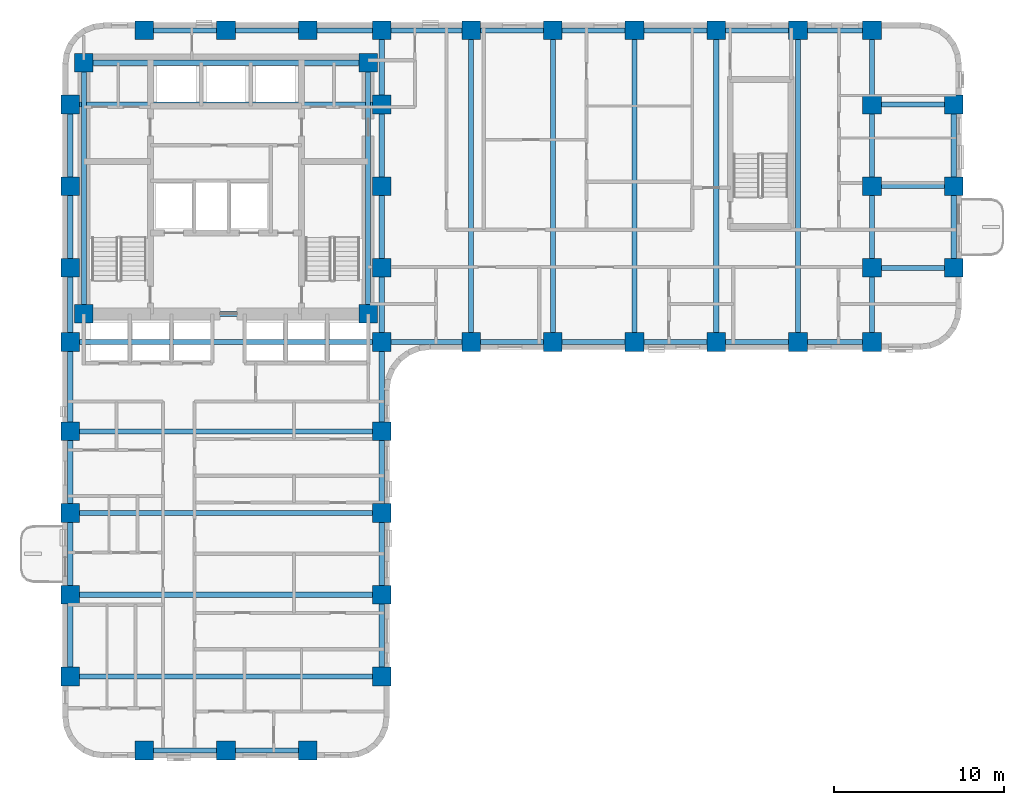
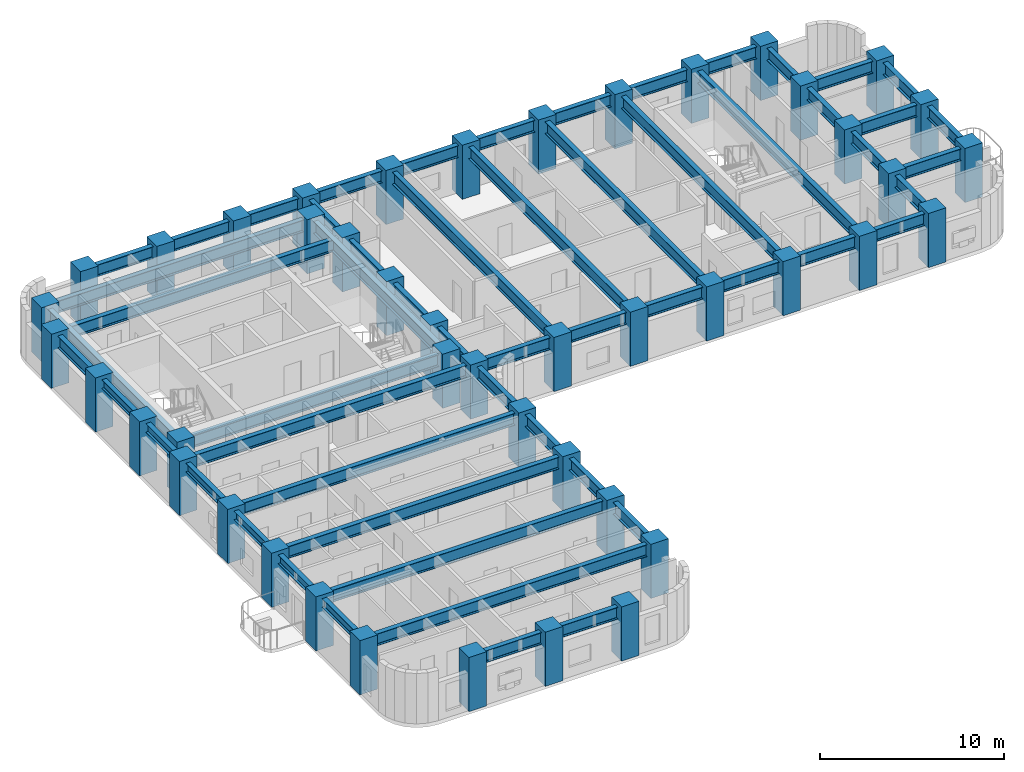
# One storey, part 1 of 12: 56 beams, 45 columns.
"""IFC4 building model written with IfcOpenShell, lengths in metres."""

from ifc_helpers import new_model, si_unit, direction, frame, origin, origin_2d, place, context, subcontext, project, spatial, rectangle, i_section, extrude, material, material_profile, profile_set, type_object, element, save


model = new_model("IFC4")

# Units and contexts
model_context = context("Model", 3, precision=1e-05, world=origin(), true_north=direction((0.0, 1.0)))
body_context = subcontext(model_context, "Body", "Model", "MODEL_VIEW")
ifc_project = project(units=[si_unit("LENGTHUNIT", "METRE"), si_unit("AREAUNIT", "SQUARE_METRE"), si_unit("VOLUMEUNIT", "CUBIC_METRE"), si_unit("PLANEANGLEUNIT", "RADIAN"), si_unit("MASSUNIT", "GRAM", prefix="KILO")], contexts=[model_context])

# Site, building, storey
site_placement = place(None, origin())
site = spatial("IfcSite", under=ifc_project, at=site_placement, CompositionType="ELEMENT")
building_placement = place(site_placement, origin())
building = spatial("IfcBuilding", under=site, at=building_placement, Name="Orvandelia Arch Residences", CompositionType="ELEMENT")
storey_placement = place(building_placement, frame((0.0, 0.0, 43.0)))
storey = spatial("IfcBuildingStorey", under=building, at=storey_placement, Name="L10", CompositionType="ELEMENT", Elevation=43.0)

# Columns
ifc_material_1 = material(Name="Concrete C80/95", Category="concrete")
ifc_material_profile_1 = material_profile(ifc_material_1, rectangle(XDim=1.10009765625, YDim=1.10009765625, at=origin_2d()), Name="Concrete C80/95", Category="concrete")
ifc_profile_set_1 = profile_set([ifc_material_profile_1], Name="Concrete C80/95")
column_type = type_object("IfcColumnType", Name="COL-TWR-1100", PredefinedType="COLUMN", material=ifc_profile_set_1)
for number, where, z_axis, x_axis, name in (
    (1, (5.25, 9.60009765625, 0.0), (0.0, 0.0, 1.0), (1.0, 0.0, 0.0), "Structural Column L10-W-W-96"),
    (2, (5.25, 14.39990234375, 0.0), (0.0, 0.0, 1.0), (1.0, 0.0, 0.0), "Structural Column L10-W-W-144"),
    (3, (5.25, 19.199951171875, 0.0), (0.0, 0.0, 1.0), (1.0, 0.0, 0.0), "Structural Column L10-W-W-192"),
    (4, (5.25, 24.0, 0.0), (0.0, 0.0, 1.0), (1.0, 0.0, 0.0), "Structural Column L10-W-W-240"),
    (5, (5.25, 29.25, 0.0), (0.0, 0.0, 1.0), (1.0, 0.0, 0.0), "Structural Column L10-W-W-292"),
    (6, (5.25, 33.60009765625, 0.0), (0.0, 0.0, 1.0), (1.0, 0.0, 0.0), "Structural Column L10-W-W-336"),
    (7, (5.25, 38.39990234375, 0.0), (0.0, 0.0, 1.0), (1.0, 0.0, 0.0), "Structural Column L10-W-W-384"),
    (8, (5.25, 43.199951171875, 0.0), (0.0, 0.0, 1.0), (1.0, 0.0, 0.0), "Structural Column L10-W-W-432"),
    (9, (6.050048828125, 30.89990234375, 0.0), (0.0, 0.0, 1.0), (1.0, 0.0, 0.0), "Structural Column L10-CR-SW"),
    (10, (6.050048828125, 45.64990234375, 0.0), (0.0, 0.0, 1.0), (1.0, 0.0, 0.0), "Structural Column L10-CR-NW"),
    (11, (9.60009765625, 5.25, 0.0), (0.0, 0.0, 1.0), (1.0, 0.0, 0.0), "Structural Column L10-W-S-96"),
    (12, (9.60009765625, 47.550048828125, 0.0), (0.0, 0.0, 1.0), (1.0, 0.0, 0.0), "Structural Column L10-W-N-96"),
    (13, (14.39990234375, 5.25, 0.0), (0.0, 0.0, 1.0), (1.0, 0.0, 0.0), "Structural Column L10-W-S-144"),
    (14, (14.39990234375, 47.550048828125, 0.0), (0.0, 0.0, 1.0), (1.0, 0.0, 0.0), "Structural Column L10-W-N-144"),
    (15, (19.199951171875, 5.25, 0.0), (0.0, 0.0, 1.0), (1.0, 0.0, 0.0), "Structural Column L10-W-S-192"),
    (16, (19.199951171875, 47.550048828125, 0.0), (0.0, 0.0, 1.0), (1.0, 0.0, 0.0), "Structural Column L10-W-N-192"),
    (17, (22.75, 30.89990234375, 0.0), (0.0, 0.0, 1.0), (1.0, 0.0, 0.0), "Structural Column L10-CR-SE"),
    (18, (22.75, 45.64990234375, 0.0), (0.0, 0.0, 1.0), (1.0, 0.0, 0.0), "Structural Column L10-CR-NE"),
    (19, (23.550048828125, 9.60009765625, 0.0), (0.0, 0.0, 1.0), (1.0, 0.0, 0.0), "Structural Column L10-W-E-96"),
    (20, (23.550048828125, 14.39990234375, 0.0), (0.0, 0.0, 1.0), (1.0, 0.0, 0.0), "Structural Column L10-W-E-144"),
    (21, (23.550048828125, 19.199951171875, 0.0), (0.0, 0.0, 1.0), (1.0, 0.0, 0.0), "Structural Column L10-W-E-192"),
    (22, (23.550048828125, 24.0, 0.0), (0.0, 0.0, 1.0), (1.0, 0.0, 0.0), "Structural Column L10-W-E-240"),
    (23, (23.550048828125, 29.25, 0.0), (0.0, 0.0, 1.0), (1.0, 0.0, 0.0), "Structural Column L10-W-E-292"),
    (24, (23.550048828125, 33.60009765625, 0.0), (0.0, 0.0, 1.0), (1.0, 0.0, 0.0), "Structural Column L10-W-E-336"),
    (25, (23.550048828125, 38.39990234375, 0.0), (0.0, 0.0, 1.0), (1.0, 0.0, 0.0), "Structural Column L10-W-E-384"),
    (26, (23.550048828125, 43.199951171875, 0.0), (0.0, 0.0, 1.0), (1.0, 0.0, 0.0), "Structural Column L10-W-E-432"),
    (27, (23.550048828125, 47.550048828125, 0.0), (0.0, 0.0, 1.0), (1.0, 0.0, 0.0), "Structural Column L10-W-N-235"),
    (28, (28.800048828125, 29.25, 0.0), (0.0, 0.0, 1.0), (1.0, 0.0, 0.0), "Structural Column L10-E-S-288"),
    (29, (28.800048828125, 47.550048828125, 0.0), (0.0, 0.0, 1.0), (1.0, 0.0, 0.0), "Structural Column L10-E-N-288"),
    (30, (33.60009765625, 29.25, 0.0), (0.0, 0.0, 1.0), (1.0, 0.0, 0.0), "Structural Column L10-E-S-336"),
    (31, (33.60009765625, 47.550048828125, 0.0), (0.0, 0.0, 1.0), (1.0, 0.0, 0.0), "Structural Column L10-E-N-336"),
    (32, (38.39990234375, 29.25, 0.0), (0.0, 0.0, 1.0), (1.0, 0.0, 0.0), "Structural Column L10-E-S-384"),
    (33, (38.39990234375, 47.550048828125, 0.0), (0.0, 0.0, 1.0), (1.0, 0.0, 0.0), "Structural Column L10-E-N-384"),
    (34, (43.199951171875, 29.25, 0.0), (0.0, 0.0, 1.0), (1.0, 0.0, 0.0), "Structural Column L10-E-S-432"),
    (35, (43.199951171875, 47.550048828125, 0.0), (0.0, 0.0, 1.0), (1.0, 0.0, 0.0), "Structural Column L10-E-N-432"),
    (36, (48.0, 29.25, 0.0), (0.0, 0.0, 1.0), (1.0, 0.0, 0.0), "Structural Column L10-E-S-480"),
    (37, (48.0, 47.550048828125, 0.0), (0.0, 0.0, 1.0), (1.0, 0.0, 0.0), "Structural Column L10-E-N-480"),
    (38, (52.35009765625, 29.25, 0.0), (0.0, 0.0, 1.0), (1.0, 0.0, 0.0), "Structural Column L10-E-S-523"),
    (39, (52.35009765625, 33.60009765625, 0.0), (0.0, 0.0, 1.0), (1.0, 0.0, 0.0), "Structural Column L10-E-523-336"),
    (40, (52.35009765625, 38.39990234375, 0.0), (0.0, 0.0, 1.0), (1.0, 0.0, 0.0), "Structural Column L10-E-523-384"),
    (41, (52.35009765625, 43.199951171875, 0.0), (0.0, 0.0, 1.0), (1.0, 0.0, 0.0), "Structural Column L10-E-523-432"),
    (42, (52.35009765625, 47.550048828125, 0.0), (0.0, 0.0, 1.0), (1.0, 0.0, 0.0), "Structural Column L10-E-N-523"),
    (43, (57.14990234375, 33.60009765625, 0.0), (0.0, 0.0, 1.0), (1.0, 0.0, 0.0), "Structural Column L10-E-571-336"),
    (44, (57.14990234375, 38.39990234375, 0.0), (0.0, 0.0, 1.0), (1.0, 0.0, 0.0), "Structural Column L10-E-571-384"),
    (45, (57.14990234375, 43.199951171875, 0.0), (0.0, 0.0, 1.0), (1.0, 0.0, 0.0), "Structural Column L10-E-571-432"),
):
    element("IfcColumn", number, at=place(storey_placement, frame(where, z_axis=z_axis, x_axis=x_axis)), inside=storey, type_object=column_type, Name=name, PredefinedType="COLUMN", context=body_context, shape_type="SweptSolid", body=[
        extrude(rectangle(XDim=1.10009765625, YDim=1.10009765625, at=origin_2d()), origin(), (0.0, 0.0, 1.0), 3.60009765625),
    ])

# Beams
ifc_material_2 = material(Name="Structural Steel SM355 (355 MPa)", Category="steel")
ifc_material_profile_2 = material_profile(ifc_material_2, i_section(OverallWidth=0.300048828125, OverallDepth=0.800048828125, WebThickness=0.013916015625, FlangeThickness=0.02587890625, FilletRadius=0.02587890625, at=origin_2d()), Name="Structural Steel SM355 (355 MPa)", Category="steel")
ifc_profile_set_2 = profile_set([ifc_material_profile_2], Name="Structural Steel SM355 (355 MPa)")
beam_type_1 = type_object("IfcBeamType", Name="BM-GRD-H800", PredefinedType="BEAM", material=ifc_profile_set_2)
beam_1_placement = place(storey_placement, frame((5.25, 38.39990234375, 2.949951171875), z_axis=(0.0, 1.0, 0.0), x_axis=(-1.0, 0.0, 0.0)))
element("IfcBeam", 46, at=beam_1_placement, inside=storey, type_object=beam_type_1, Name="Structural Frame Beam L10-NS-007", PredefinedType="BEAM", context=body_context, shape_type="SweptSolid", body=[
    extrude(i_section(OverallWidth=0.300048828125, OverallDepth=0.800048828125, WebThickness=0.013916015625, FlangeThickness=0.02587890625, FilletRadius=0.02587890625, at=origin_2d()), origin(), (0.0, 0.0, 1.0), 4.800048828125),
])
for number, where, z_axis, x_axis, name in (
    (47, (6.050048828125, 30.89990234375, 2.949951171875), (0.0, 1.0, 0.0), (-1.0, 0.0, 0.0), "Structural Frame Beam L10-NS-008"),
    (48, (22.75, 30.89990234375, 2.949951171875), (0.0, 1.0, 0.0), (-1.0, 0.0, 0.0), "Structural Frame Beam L10-NS-009"),
):
    element("IfcBeam", number, at=place(storey_placement, frame(where, z_axis=z_axis, x_axis=x_axis)), inside=storey, type_object=beam_type_1, Name=name, PredefinedType="BEAM", context=body_context, shape_type="SweptSolid", body=[
        extrude(i_section(OverallWidth=0.300048828125, OverallDepth=0.800048828125, WebThickness=0.013916015625, FlangeThickness=0.02587890625, FilletRadius=0.02587890625, at=origin_2d()), origin(), (0.0, 0.0, 1.0), 14.75),
    ])
beam_2_placement = place(storey_placement, frame((23.550048828125, 9.60009765625, 2.949951171875), z_axis=(0.0, 1.0, 0.0), x_axis=(-1.0, 0.0, 0.0)))
element("IfcBeam", 49, at=beam_2_placement, inside=storey, type_object=beam_type_1, Name="Structural Frame Beam L10-NS-010", PredefinedType="BEAM", context=body_context, shape_type="SweptSolid", body=[
    extrude(i_section(OverallWidth=0.300048828125, OverallDepth=0.800048828125, WebThickness=0.013916015625, FlangeThickness=0.02587890625, FilletRadius=0.02587890625, at=origin_2d()), origin(), (0.0, 0.0, 1.0), 4.7998046875),
])
for number, where, z_axis, x_axis, name in (
    (50, (23.550048828125, 14.39990234375, 2.949951171875), (0.0, 1.0, 0.0), (-1.0, 0.0, 0.0), "Structural Frame Beam L10-NS-011"),
    (51, (23.550048828125, 19.199951171875, 2.949951171875), (0.0, 1.0, 0.0), (-1.0, 0.0, 0.0), "Structural Frame Beam L10-NS-012"),
):
    element("IfcBeam", number, at=place(storey_placement, frame(where, z_axis=z_axis, x_axis=x_axis)), inside=storey, type_object=beam_type_1, Name=name, PredefinedType="BEAM", context=body_context, shape_type="SweptSolid", body=[
        extrude(i_section(OverallWidth=0.300048828125, OverallDepth=0.800048828125, WebThickness=0.013916015625, FlangeThickness=0.02587890625, FilletRadius=0.02587890625, at=origin_2d()), origin(), (0.0, 0.0, 1.0), 4.800048828125),
    ])
beam_3_placement = place(storey_placement, frame((23.550048828125, 24.0, 2.949951171875), z_axis=(0.0, 1.0, 0.0), x_axis=(-1.0, 0.0, 0.0)))
element("IfcBeam", 52, at=beam_3_placement, inside=storey, type_object=beam_type_1, Name="Structural Frame Beam L10-NS-013", PredefinedType="BEAM", context=body_context, shape_type="SweptSolid", body=[
    extrude(i_section(OverallWidth=0.300048828125, OverallDepth=0.800048828125, WebThickness=0.013916015625, FlangeThickness=0.02587890625, FilletRadius=0.02587890625, at=origin_2d()), origin(), (0.0, 0.0, 1.0), 5.25),
])
beam_4_placement = place(storey_placement, frame((23.550048828125, 29.25, 2.949951171875), z_axis=(0.0, 1.0, 0.0), x_axis=(-1.0, 0.0, 0.0)))
element("IfcBeam", 53, at=beam_4_placement, inside=storey, type_object=beam_type_1, Name="Structural Frame Beam L10-NS-014", PredefinedType="BEAM", context=body_context, shape_type="SweptSolid", body=[
    extrude(i_section(OverallWidth=0.300048828125, OverallDepth=0.800048828125, WebThickness=0.013916015625, FlangeThickness=0.02587890625, FilletRadius=0.02587890625, at=origin_2d()), origin(), (0.0, 0.0, 1.0), 4.35009765625),
])
beam_5_placement = place(storey_placement, frame((23.550048828125, 33.60009765625, 2.949951171875), z_axis=(0.0, 1.0, 0.0), x_axis=(-1.0, 0.0, 0.0)))
element("IfcBeam", 54, at=beam_5_placement, inside=storey, type_object=beam_type_1, Name="Structural Frame Beam L10-NS-015", PredefinedType="BEAM", context=body_context, shape_type="SweptSolid", body=[
    extrude(i_section(OverallWidth=0.300048828125, OverallDepth=0.800048828125, WebThickness=0.013916015625, FlangeThickness=0.02587890625, FilletRadius=0.02587890625, at=origin_2d()), origin(), (0.0, 0.0, 1.0), 4.7998046875),
])
beam_6_placement = place(storey_placement, frame((23.550048828125, 38.39990234375, 2.949951171875), z_axis=(0.0, 1.0, 0.0), x_axis=(-1.0, 0.0, 0.0)))
element("IfcBeam", 55, at=beam_6_placement, inside=storey, type_object=beam_type_1, Name="Structural Frame Beam L10-NS-016", PredefinedType="BEAM", context=body_context, shape_type="SweptSolid", body=[
    extrude(i_section(OverallWidth=0.300048828125, OverallDepth=0.800048828125, WebThickness=0.013916015625, FlangeThickness=0.02587890625, FilletRadius=0.02587890625, at=origin_2d()), origin(), (0.0, 0.0, 1.0), 4.800048828125),
])
beam_7_placement = place(storey_placement, frame((23.550048828125, 43.199951171875, 2.949951171875), z_axis=(0.0, 1.0, 0.0), x_axis=(-1.0, 0.0, 0.0)))
element("IfcBeam", 56, at=beam_7_placement, inside=storey, type_object=beam_type_1, Name="Structural Frame Beam L10-NS-017", PredefinedType="BEAM", context=body_context, shape_type="SweptSolid", body=[
    extrude(i_section(OverallWidth=0.300048828125, OverallDepth=0.800048828125, WebThickness=0.013916015625, FlangeThickness=0.02587890625, FilletRadius=0.02587890625, at=origin_2d()), origin(), (0.0, 0.0, 1.0), 4.35009765625),
])
for number, where, z_axis, x_axis, name in (
    (57, (28.800048828125, 29.25, 2.949951171875), (0.0, 1.0, 0.0), (-1.0, 0.0, 0.0), "Structural Frame Beam L10-NS-018"),
    (58, (33.60009765625, 29.25, 2.949951171875), (0.0, 1.0, 0.0), (-1.0, 0.0, 0.0), "Structural Frame Beam L10-NS-019"),
    (59, (38.39990234375, 29.25, 2.949951171875), (0.0, 1.0, 0.0), (-1.0, 0.0, 0.0), "Structural Frame Beam L10-NS-020"),
    (60, (43.199951171875, 29.25, 2.949951171875), (0.0, 1.0, 0.0), (-1.0, 0.0, 0.0), "Structural Frame Beam L10-NS-021"),
    (61, (48.0, 29.25, 2.949951171875), (0.0, 1.0, 0.0), (-1.0, 0.0, 0.0), "Structural Frame Beam L10-NS-022"),
):
    element("IfcBeam", number, at=place(storey_placement, frame(where, z_axis=z_axis, x_axis=x_axis)), inside=storey, type_object=beam_type_1, Name=name, PredefinedType="BEAM", context=body_context, shape_type="SweptSolid", body=[
        extrude(i_section(OverallWidth=0.300048828125, OverallDepth=0.800048828125, WebThickness=0.013916015625, FlangeThickness=0.02587890625, FilletRadius=0.02587890625, at=origin_2d()), origin(), (0.0, 0.0, 1.0), 18.300048828125),
    ])
beam_8_placement = place(storey_placement, frame((52.35009765625, 29.25, 2.949951171875), z_axis=(0.0, 1.0, 0.0), x_axis=(-1.0, 0.0, 0.0)))
element("IfcBeam", 62, at=beam_8_placement, inside=storey, type_object=beam_type_1, Name="Structural Frame Beam L10-NS-023", PredefinedType="BEAM", context=body_context, shape_type="SweptSolid", body=[
    extrude(i_section(OverallWidth=0.300048828125, OverallDepth=0.800048828125, WebThickness=0.013916015625, FlangeThickness=0.02587890625, FilletRadius=0.02587890625, at=origin_2d()), origin(), (0.0, 0.0, 1.0), 4.35009765625),
])
beam_9_placement = place(storey_placement, frame((52.35009765625, 33.60009765625, 2.949951171875), z_axis=(0.0, 1.0, 0.0), x_axis=(-1.0, 0.0, 0.0)))
element("IfcBeam", 63, at=beam_9_placement, inside=storey, type_object=beam_type_1, Name="Structural Frame Beam L10-NS-024", PredefinedType="BEAM", context=body_context, shape_type="SweptSolid", body=[
    extrude(i_section(OverallWidth=0.300048828125, OverallDepth=0.800048828125, WebThickness=0.013916015625, FlangeThickness=0.02587890625, FilletRadius=0.02587890625, at=origin_2d()), origin(), (0.0, 0.0, 1.0), 4.7998046875),
])
beam_10_placement = place(storey_placement, frame((52.35009765625, 38.39990234375, 2.949951171875), z_axis=(0.0, 1.0, 0.0), x_axis=(-1.0, 0.0, 0.0)))
element("IfcBeam", 64, at=beam_10_placement, inside=storey, type_object=beam_type_1, Name="Structural Frame Beam L10-NS-025", PredefinedType="BEAM", context=body_context, shape_type="SweptSolid", body=[
    extrude(i_section(OverallWidth=0.300048828125, OverallDepth=0.800048828125, WebThickness=0.013916015625, FlangeThickness=0.02587890625, FilletRadius=0.02587890625, at=origin_2d()), origin(), (0.0, 0.0, 1.0), 4.800048828125),
])
beam_11_placement = place(storey_placement, frame((52.35009765625, 43.199951171875, 2.949951171875), z_axis=(0.0, 1.0, 0.0), x_axis=(-1.0, 0.0, 0.0)))
element("IfcBeam", 65, at=beam_11_placement, inside=storey, type_object=beam_type_1, Name="Structural Frame Beam L10-NS-026", PredefinedType="BEAM", context=body_context, shape_type="SweptSolid", body=[
    extrude(i_section(OverallWidth=0.300048828125, OverallDepth=0.800048828125, WebThickness=0.013916015625, FlangeThickness=0.02587890625, FilletRadius=0.02587890625, at=origin_2d()), origin(), (0.0, 0.0, 1.0), 4.35009765625),
])
beam_12_placement = place(storey_placement, frame((57.14990234375, 33.60009765625, 2.949951171875), z_axis=(0.0, 1.0, 0.0), x_axis=(-1.0, 0.0, 0.0)))
element("IfcBeam", 66, at=beam_12_placement, inside=storey, type_object=beam_type_1, Name="Structural Frame Beam L10-NS-027", PredefinedType="BEAM", context=body_context, shape_type="SweptSolid", body=[
    extrude(i_section(OverallWidth=0.300048828125, OverallDepth=0.800048828125, WebThickness=0.013916015625, FlangeThickness=0.02587890625, FilletRadius=0.02587890625, at=origin_2d()), origin(), (0.0, 0.0, 1.0), 4.7998046875),
])
beam_13_placement = place(storey_placement, frame((57.14990234375, 38.39990234375, 2.949951171875), z_axis=(0.0, 1.0, 0.0), x_axis=(-1.0, 0.0, 0.0)))
element("IfcBeam", 67, at=beam_13_placement, inside=storey, type_object=beam_type_1, Name="Structural Frame Beam L10-NS-028", PredefinedType="BEAM", context=body_context, shape_type="SweptSolid", body=[
    extrude(i_section(OverallWidth=0.300048828125, OverallDepth=0.800048828125, WebThickness=0.013916015625, FlangeThickness=0.02587890625, FilletRadius=0.02587890625, at=origin_2d()), origin(), (0.0, 0.0, 1.0), 4.800048828125),
])
beam_14_placement = place(storey_placement, frame((9.60009765625, 5.25, 2.949951171875), z_axis=(1.0, 0.0, 0.0), x_axis=(0.0, 1.0, 0.0)))
element("IfcBeam", 68, at=beam_14_placement, inside=storey, type_object=beam_type_1, Name="Structural Frame Girder L10-EW-029", PredefinedType="BEAM", context=body_context, shape_type="SweptSolid", body=[
    extrude(i_section(OverallWidth=0.300048828125, OverallDepth=0.800048828125, WebThickness=0.013916015625, FlangeThickness=0.02587890625, FilletRadius=0.02587890625, at=origin_2d()), origin(), (0.0, 0.0, 1.0), 4.7998046875),
])
beam_15_placement = place(storey_placement, frame((14.39990234375, 5.25, 2.949951171875), z_axis=(1.0, 0.0, 0.0), x_axis=(0.0, 1.0, 0.0)))
element("IfcBeam", 69, at=beam_15_placement, inside=storey, type_object=beam_type_1, Name="Structural Frame Girder L10-EW-030", PredefinedType="BEAM", context=body_context, shape_type="SweptSolid", body=[
    extrude(i_section(OverallWidth=0.300048828125, OverallDepth=0.800048828125, WebThickness=0.013916015625, FlangeThickness=0.02587890625, FilletRadius=0.02587890625, at=origin_2d()), origin(), (0.0, 0.0, 1.0), 4.800048828125),
])
for number, where, z_axis, x_axis, name in (
    (70, (5.25, 9.60009765625, 2.949951171875), (1.0, 0.0, 0.0), (0.0, 1.0, 0.0), "Structural Frame Girder L10-EW-031"),
    (71, (5.25, 14.39990234375, 2.949951171875), (1.0, 0.0, 0.0), (0.0, 1.0, 0.0), "Structural Frame Girder L10-EW-032"),
    (72, (5.25, 19.199951171875, 2.949951171875), (1.0, 0.0, 0.0), (0.0, 1.0, 0.0), "Structural Frame Girder L10-EW-033"),
    (73, (5.25, 24.0, 2.949951171875), (1.0, 0.0, 0.0), (0.0, 1.0, 0.0), "Structural Frame Girder L10-EW-034"),
    (74, (5.25, 29.25, 2.949951171875), (1.0, 0.0, 0.0), (0.0, 1.0, 0.0), "Structural Frame Girder L10-EW-035"),
):
    element("IfcBeam", number, at=place(storey_placement, frame(where, z_axis=z_axis, x_axis=x_axis)), inside=storey, type_object=beam_type_1, Name=name, PredefinedType="BEAM", context=body_context, shape_type="SweptSolid", body=[
        extrude(i_section(OverallWidth=0.300048828125, OverallDepth=0.800048828125, WebThickness=0.013916015625, FlangeThickness=0.02587890625, FilletRadius=0.02587890625, at=origin_2d()), origin(), (0.0, 0.0, 1.0), 18.300048828125),
    ])
beam_16_placement = place(storey_placement, frame((23.550048828125, 29.25, 2.949951171875), z_axis=(1.0, 0.0, 0.0), x_axis=(0.0, 1.0, 0.0)))
element("IfcBeam", 75, at=beam_16_placement, inside=storey, type_object=beam_type_1, Name="Structural Frame Girder L10-EW-036", PredefinedType="BEAM", context=body_context, shape_type="SweptSolid", body=[
    extrude(i_section(OverallWidth=0.300048828125, OverallDepth=0.800048828125, WebThickness=0.013916015625, FlangeThickness=0.02587890625, FilletRadius=0.02587890625, at=origin_2d()), origin(), (0.0, 0.0, 1.0), 5.25),
])
beam_17_placement = place(storey_placement, frame((28.800048828125, 29.25, 2.949951171875), z_axis=(1.0, 0.0, 0.0), x_axis=(0.0, 1.0, 0.0)))
element("IfcBeam", 76, at=beam_17_placement, inside=storey, type_object=beam_type_1, Name="Structural Frame Girder L10-EW-037", PredefinedType="BEAM", context=body_context, shape_type="SweptSolid", body=[
    extrude(i_section(OverallWidth=0.300048828125, OverallDepth=0.800048828125, WebThickness=0.013916015625, FlangeThickness=0.02587890625, FilletRadius=0.02587890625, at=origin_2d()), origin(), (0.0, 0.0, 1.0), 4.800048828125),
])
beam_18_placement = place(storey_placement, frame((33.60009765625, 29.25, 2.949951171875), z_axis=(1.0, 0.0, 0.0), x_axis=(0.0, 1.0, 0.0)))
element("IfcBeam", 77, at=beam_18_placement, inside=storey, type_object=beam_type_1, Name="Structural Frame Girder L10-EW-038", PredefinedType="BEAM", context=body_context, shape_type="SweptSolid", body=[
    extrude(i_section(OverallWidth=0.300048828125, OverallDepth=0.800048828125, WebThickness=0.013916015625, FlangeThickness=0.02587890625, FilletRadius=0.02587890625, at=origin_2d()), origin(), (0.0, 0.0, 1.0), 4.7998046875),
])
for number, where, z_axis, x_axis, name in (
    (78, (38.39990234375, 29.25, 2.949951171875), (1.0, 0.0, 0.0), (0.0, 1.0, 0.0), "Structural Frame Girder L10-EW-039"),
    (79, (43.199951171875, 29.25, 2.949951171875), (1.0, 0.0, 0.0), (0.0, 1.0, 0.0), "Structural Frame Girder L10-EW-040"),
):
    element("IfcBeam", number, at=place(storey_placement, frame(where, z_axis=z_axis, x_axis=x_axis)), inside=storey, type_object=beam_type_1, Name=name, PredefinedType="BEAM", context=body_context, shape_type="SweptSolid", body=[
        extrude(i_section(OverallWidth=0.300048828125, OverallDepth=0.800048828125, WebThickness=0.013916015625, FlangeThickness=0.02587890625, FilletRadius=0.02587890625, at=origin_2d()), origin(), (0.0, 0.0, 1.0), 4.800048828125),
    ])
beam_19_placement = place(storey_placement, frame((48.0, 29.25, 2.949951171875), z_axis=(1.0, 0.0, 0.0), x_axis=(0.0, 1.0, 0.0)))
element("IfcBeam", 80, at=beam_19_placement, inside=storey, type_object=beam_type_1, Name="Structural Frame Girder L10-EW-041", PredefinedType="BEAM", context=body_context, shape_type="SweptSolid", body=[
    extrude(i_section(OverallWidth=0.300048828125, OverallDepth=0.800048828125, WebThickness=0.013916015625, FlangeThickness=0.02587890625, FilletRadius=0.02587890625, at=origin_2d()), origin(), (0.0, 0.0, 1.0), 4.35009765625),
])
beam_20_placement = place(storey_placement, frame((6.050048828125, 30.89990234375, 2.949951171875), z_axis=(1.0, 0.0, 0.0), x_axis=(0.0, 1.0, 0.0)))
element("IfcBeam", 81, at=beam_20_placement, inside=storey, type_object=beam_type_1, Name="Structural Frame Girder L10-EW-042", PredefinedType="BEAM", context=body_context, shape_type="SweptSolid", body=[
    extrude(i_section(OverallWidth=0.300048828125, OverallDepth=0.800048828125, WebThickness=0.013916015625, FlangeThickness=0.02587890625, FilletRadius=0.02587890625, at=origin_2d()), origin(), (0.0, 0.0, 1.0), 16.699951171875),
])
for number, where, z_axis, x_axis, name in (
    (82, (52.35009765625, 33.60009765625, 2.949951171875), (1.0, 0.0, 0.0), (0.0, 1.0, 0.0), "Structural Frame Girder L10-EW-044"),
    (83, (52.35009765625, 38.39990234375, 2.949951171875), (1.0, 0.0, 0.0), (0.0, 1.0, 0.0), "Structural Frame Girder L10-EW-046"),
):
    element("IfcBeam", number, at=place(storey_placement, frame(where, z_axis=z_axis, x_axis=x_axis)), inside=storey, type_object=beam_type_1, Name=name, PredefinedType="BEAM", context=body_context, shape_type="SweptSolid", body=[
        extrude(i_section(OverallWidth=0.300048828125, OverallDepth=0.800048828125, WebThickness=0.013916015625, FlangeThickness=0.02587890625, FilletRadius=0.02587890625, at=origin_2d()), origin(), (0.0, 0.0, 1.0), 4.7998046875),
    ])
beam_21_placement = place(storey_placement, frame((5.25, 43.199951171875, 2.949951171875), z_axis=(1.0, 0.0, 0.0), x_axis=(0.0, 1.0, 0.0)))
element("IfcBeam", 84, at=beam_21_placement, inside=storey, type_object=beam_type_1, Name="Structural Frame Girder L10-EW-047", PredefinedType="BEAM", context=body_context, shape_type="SweptSolid", body=[
    extrude(i_section(OverallWidth=0.300048828125, OverallDepth=0.800048828125, WebThickness=0.013916015625, FlangeThickness=0.02587890625, FilletRadius=0.02587890625, at=origin_2d()), origin(), (0.0, 0.0, 1.0), 18.300048828125),
])
beam_22_placement = place(storey_placement, frame((52.35009765625, 43.199951171875, 2.949951171875), z_axis=(1.0, 0.0, 0.0), x_axis=(0.0, 1.0, 0.0)))
element("IfcBeam", 85, at=beam_22_placement, inside=storey, type_object=beam_type_1, Name="Structural Frame Girder L10-EW-048", PredefinedType="BEAM", context=body_context, shape_type="SweptSolid", body=[
    extrude(i_section(OverallWidth=0.300048828125, OverallDepth=0.800048828125, WebThickness=0.013916015625, FlangeThickness=0.02587890625, FilletRadius=0.02587890625, at=origin_2d()), origin(), (0.0, 0.0, 1.0), 4.7998046875),
])
beam_23_placement = place(storey_placement, frame((6.050048828125, 45.64990234375, 2.949951171875), z_axis=(1.0, 0.0, 0.0), x_axis=(0.0, 1.0, 0.0)))
element("IfcBeam", 86, at=beam_23_placement, inside=storey, type_object=beam_type_1, Name="Structural Frame Girder L10-EW-049", PredefinedType="BEAM", context=body_context, shape_type="SweptSolid", body=[
    extrude(i_section(OverallWidth=0.300048828125, OverallDepth=0.800048828125, WebThickness=0.013916015625, FlangeThickness=0.02587890625, FilletRadius=0.02587890625, at=origin_2d()), origin(), (0.0, 0.0, 1.0), 16.699951171875),
])
beam_24_placement = place(storey_placement, frame((9.60009765625, 47.550048828125, 2.949951171875), z_axis=(1.0, 0.0, 0.0), x_axis=(0.0, 1.0, 0.0)))
element("IfcBeam", 87, at=beam_24_placement, inside=storey, type_object=beam_type_1, Name="Structural Frame Girder L10-EW-050", PredefinedType="BEAM", context=body_context, shape_type="SweptSolid", body=[
    extrude(i_section(OverallWidth=0.300048828125, OverallDepth=0.800048828125, WebThickness=0.013916015625, FlangeThickness=0.02587890625, FilletRadius=0.02587890625, at=origin_2d()), origin(), (0.0, 0.0, 1.0), 4.7998046875),
])
beam_25_placement = place(storey_placement, frame((14.39990234375, 47.550048828125, 2.949951171875), z_axis=(1.0, 0.0, 0.0), x_axis=(0.0, 1.0, 0.0)))
element("IfcBeam", 88, at=beam_25_placement, inside=storey, type_object=beam_type_1, Name="Structural Frame Girder L10-EW-051", PredefinedType="BEAM", context=body_context, shape_type="SweptSolid", body=[
    extrude(i_section(OverallWidth=0.300048828125, OverallDepth=0.800048828125, WebThickness=0.013916015625, FlangeThickness=0.02587890625, FilletRadius=0.02587890625, at=origin_2d()), origin(), (0.0, 0.0, 1.0), 4.800048828125),
])
beam_26_placement = place(storey_placement, frame((19.199951171875, 47.550048828125, 2.949951171875), z_axis=(1.0, 0.0, 0.0), x_axis=(0.0, 1.0, 0.0)))
element("IfcBeam", 89, at=beam_26_placement, inside=storey, type_object=beam_type_1, Name="Structural Frame Girder L10-EW-052", PredefinedType="BEAM", context=body_context, shape_type="SweptSolid", body=[
    extrude(i_section(OverallWidth=0.300048828125, OverallDepth=0.800048828125, WebThickness=0.013916015625, FlangeThickness=0.02587890625, FilletRadius=0.02587890625, at=origin_2d()), origin(), (0.0, 0.0, 1.0), 4.35009765625),
])
beam_27_placement = place(storey_placement, frame((23.550048828125, 47.550048828125, 2.949951171875), z_axis=(1.0, 0.0, 0.0), x_axis=(0.0, 1.0, 0.0)))
element("IfcBeam", 90, at=beam_27_placement, inside=storey, type_object=beam_type_1, Name="Structural Frame Girder L10-EW-053", PredefinedType="BEAM", context=body_context, shape_type="SweptSolid", body=[
    extrude(i_section(OverallWidth=0.300048828125, OverallDepth=0.800048828125, WebThickness=0.013916015625, FlangeThickness=0.02587890625, FilletRadius=0.02587890625, at=origin_2d()), origin(), (0.0, 0.0, 1.0), 5.25),
])
beam_28_placement = place(storey_placement, frame((28.800048828125, 47.550048828125, 2.949951171875), z_axis=(1.0, 0.0, 0.0), x_axis=(0.0, 1.0, 0.0)))
element("IfcBeam", 91, at=beam_28_placement, inside=storey, type_object=beam_type_1, Name="Structural Frame Girder L10-EW-054", PredefinedType="BEAM", context=body_context, shape_type="SweptSolid", body=[
    extrude(i_section(OverallWidth=0.300048828125, OverallDepth=0.800048828125, WebThickness=0.013916015625, FlangeThickness=0.02587890625, FilletRadius=0.02587890625, at=origin_2d()), origin(), (0.0, 0.0, 1.0), 4.800048828125),
])
beam_29_placement = place(storey_placement, frame((33.60009765625, 47.550048828125, 2.949951171875), z_axis=(1.0, 0.0, 0.0), x_axis=(0.0, 1.0, 0.0)))
element("IfcBeam", 92, at=beam_29_placement, inside=storey, type_object=beam_type_1, Name="Structural Frame Girder L10-EW-055", PredefinedType="BEAM", context=body_context, shape_type="SweptSolid", body=[
    extrude(i_section(OverallWidth=0.300048828125, OverallDepth=0.800048828125, WebThickness=0.013916015625, FlangeThickness=0.02587890625, FilletRadius=0.02587890625, at=origin_2d()), origin(), (0.0, 0.0, 1.0), 4.7998046875),
])
for number, where, z_axis, x_axis, name in (
    (93, (38.39990234375, 47.550048828125, 2.949951171875), (1.0, 0.0, 0.0), (0.0, 1.0, 0.0), "Structural Frame Girder L10-EW-056"),
    (94, (43.199951171875, 47.550048828125, 2.949951171875), (1.0, 0.0, 0.0), (0.0, 1.0, 0.0), "Structural Frame Girder L10-EW-057"),
):
    element("IfcBeam", number, at=place(storey_placement, frame(where, z_axis=z_axis, x_axis=x_axis)), inside=storey, type_object=beam_type_1, Name=name, PredefinedType="BEAM", context=body_context, shape_type="SweptSolid", body=[
        extrude(i_section(OverallWidth=0.300048828125, OverallDepth=0.800048828125, WebThickness=0.013916015625, FlangeThickness=0.02587890625, FilletRadius=0.02587890625, at=origin_2d()), origin(), (0.0, 0.0, 1.0), 4.800048828125),
    ])
beam_30_placement = place(storey_placement, frame((48.0, 47.550048828125, 2.949951171875), z_axis=(1.0, 0.0, 0.0), x_axis=(0.0, 1.0, 0.0)))
element("IfcBeam", 95, at=beam_30_placement, inside=storey, type_object=beam_type_1, Name="Structural Frame Girder L10-EW-058", PredefinedType="BEAM", context=body_context, shape_type="SweptSolid", body=[
    extrude(i_section(OverallWidth=0.300048828125, OverallDepth=0.800048828125, WebThickness=0.013916015625, FlangeThickness=0.02587890625, FilletRadius=0.02587890625, at=origin_2d()), origin(), (0.0, 0.0, 1.0), 4.35009765625),
])
ifc_material_profile_3 = material_profile(ifc_material_2, i_section(OverallWidth=0.300048828125, OverallDepth=0.587890625, WebThickness=0.011962890625, FlangeThickness=0.02001953125, FilletRadius=0.02197265625, at=origin_2d()), Name="Structural Steel SM355 (355 MPa)", Category="steel")
ifc_profile_set_3 = profile_set([ifc_material_profile_3], Name="Structural Steel SM355 (355 MPa)")
beam_type_2 = type_object("IfcBeamType", Name="BM-SPN-H588", PredefinedType="SPANDREL", material=ifc_profile_set_3)
beam_31_placement = place(storey_placement, frame((5.25, 9.60009765625, 3.055908203125), z_axis=(0.0, 1.0, 0.0), x_axis=(-1.0, 0.0, 0.0)))
element("IfcBeam", 96, at=beam_31_placement, inside=storey, type_object=beam_type_2, Name="Structural Frame Beam L10-NS-001", PredefinedType="SPANDREL", context=body_context, shape_type="SweptSolid", body=[
    extrude(i_section(OverallWidth=0.300048828125, OverallDepth=0.587890625, WebThickness=0.011962890625, FlangeThickness=0.02001953125, FilletRadius=0.02197265625, at=origin_2d()), origin(), (0.0, 0.0, 1.0), 4.7998046875),
])
for number, where, z_axis, x_axis, name in (
    (97, (5.25, 14.39990234375, 3.055908203125), (0.0, 1.0, 0.0), (-1.0, 0.0, 0.0), "Structural Frame Beam L10-NS-002"),
    (98, (5.25, 19.199951171875, 3.055908203125), (0.0, 1.0, 0.0), (-1.0, 0.0, 0.0), "Structural Frame Beam L10-NS-003"),
):
    element("IfcBeam", number, at=place(storey_placement, frame(where, z_axis=z_axis, x_axis=x_axis)), inside=storey, type_object=beam_type_2, Name=name, PredefinedType="SPANDREL", context=body_context, shape_type="SweptSolid", body=[
        extrude(i_section(OverallWidth=0.300048828125, OverallDepth=0.587890625, WebThickness=0.011962890625, FlangeThickness=0.02001953125, FilletRadius=0.02197265625, at=origin_2d()), origin(), (0.0, 0.0, 1.0), 4.800048828125),
    ])
beam_32_placement = place(storey_placement, frame((5.25, 24.0, 3.055908203125), z_axis=(0.0, 1.0, 0.0), x_axis=(-1.0, 0.0, 0.0)))
element("IfcBeam", 99, at=beam_32_placement, inside=storey, type_object=beam_type_2, Name="Structural Frame Beam L10-NS-004", PredefinedType="SPANDREL", context=body_context, shape_type="SweptSolid", body=[
    extrude(i_section(OverallWidth=0.300048828125, OverallDepth=0.587890625, WebThickness=0.011962890625, FlangeThickness=0.02001953125, FilletRadius=0.02197265625, at=origin_2d()), origin(), (0.0, 0.0, 1.0), 5.25),
])
beam_33_placement = place(storey_placement, frame((5.25, 29.25, 3.055908203125), z_axis=(0.0, 1.0, 0.0), x_axis=(-1.0, 0.0, 0.0)))
element("IfcBeam", 100, at=beam_33_placement, inside=storey, type_object=beam_type_2, Name="Structural Frame Beam L10-NS-005", PredefinedType="SPANDREL", context=body_context, shape_type="SweptSolid", body=[
    extrude(i_section(OverallWidth=0.300048828125, OverallDepth=0.587890625, WebThickness=0.011962890625, FlangeThickness=0.02001953125, FilletRadius=0.02197265625, at=origin_2d()), origin(), (0.0, 0.0, 1.0), 4.35009765625),
])
beam_34_placement = place(storey_placement, frame((5.25, 33.60009765625, 3.055908203125), z_axis=(0.0, 1.0, 0.0), x_axis=(-1.0, 0.0, 0.0)))
element("IfcBeam", 101, at=beam_34_placement, inside=storey, type_object=beam_type_2, Name="Structural Frame Beam L10-NS-006", PredefinedType="SPANDREL", context=body_context, shape_type="SweptSolid", body=[
    extrude(i_section(OverallWidth=0.300048828125, OverallDepth=0.587890625, WebThickness=0.011962890625, FlangeThickness=0.02001953125, FilletRadius=0.02197265625, at=origin_2d()), origin(), (0.0, 0.0, 1.0), 4.7998046875),
])

save(model, "model.ifc")
